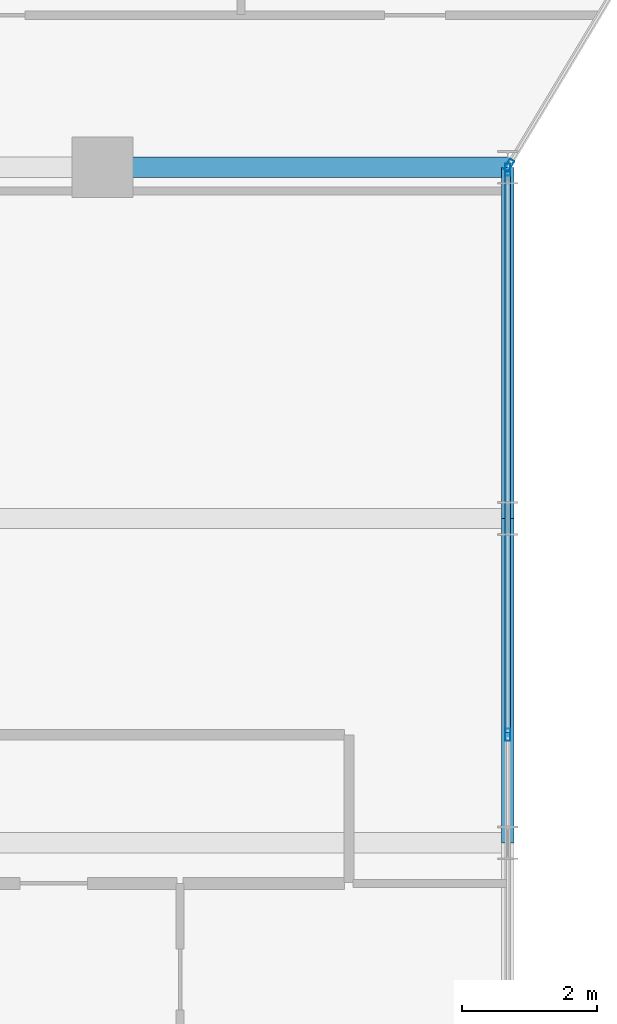
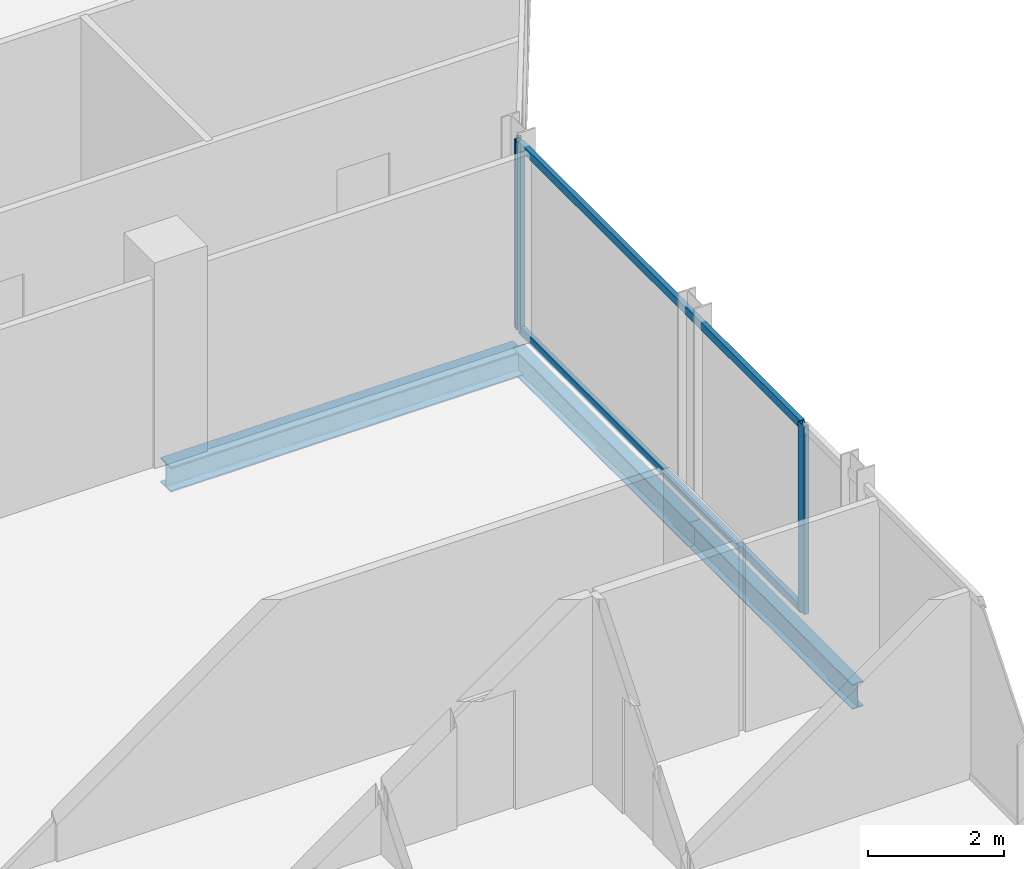
# One storey, part 13 of 32: 5 members, 3 beams, 2 elements without a shape of their own.
"""IFC4 building model written with IfcOpenShell, lengths in metres."""

from ifc_helpers import new_model, si_unit, direction, frame, origin, origin_2d, place, context, subcontext, project, spatial, hollow_rectangle, i_section, extrude, material, layer, layer_set, material_profile, profile_set, type_object, element, aggregate, save


model = new_model("IFC4")

# Units and contexts
model_context = context("Model", 3, precision=1e-05, world=origin(), true_north=direction((0.0, 1.0)))
body_context = subcontext(model_context, "Body", "Model", "MODEL_VIEW")
ifc_project = project(units=[si_unit("LENGTHUNIT", "METRE"), si_unit("AREAUNIT", "SQUARE_METRE"), si_unit("VOLUMEUNIT", "CUBIC_METRE"), si_unit("PLANEANGLEUNIT", "RADIAN"), si_unit("MASSUNIT", "GRAM", prefix="KILO")], contexts=[model_context])

# Site, building, storey
site_placement = place(None, origin())
site = spatial("IfcSite", under=ifc_project, at=site_placement, CompositionType="ELEMENT")
building_placement = place(site_placement, origin())
building = spatial("IfcBuilding", under=site, at=building_placement, Name="Keshet Zoharim Tower", CompositionType="ELEMENT")
storey_placement = place(building_placement, frame((0.0, 0.0, 152.0)))
storey = spatial("IfcBuildingStorey", under=building, at=storey_placement, Name="L37", CompositionType="ELEMENT", Elevation=152.0)

# Beams
ifc_material_1 = material(Name="Steel S355", Category="steel")
ifc_material_profile_1 = material_profile(ifc_material_1, i_section(OverallWidth=0.18994140625, OverallDepth=0.449951171875, WebThickness=0.009521484375, FlangeThickness=0.0146484375, FilletRadius=0.02099609375, at=origin_2d()), Name="IPE450")
ifc_profile_set_1 = profile_set([ifc_material_profile_1], Name="Steel S355")
beam_type_1 = type_object("IfcBeamType", Name="BM-PRI-IP450", PredefinedType="BEAM", material=ifc_profile_set_1)
beam_1_placement = place(storey_placement, frame((57.0, 17.89990234375, -0.5400390625), z_axis=(0.0, 1.0, 0.0), x_axis=(-1.0, 0.0, 0.0)))
element("IfcBeam", 1, at=beam_1_placement, inside=storey, type_object=beam_type_1, Name="L37 Primary Girder Y-015", PredefinedType="BEAM", context=body_context, shape_type="SweptSolid", body=[
    extrude(i_section(OverallWidth=0.18994140625, OverallDepth=0.449951171875, WebThickness=0.009521484375, FlangeThickness=0.0146484375, FilletRadius=0.02099609375, at=origin_2d()), origin(), (0.0, 0.0, 1.0), 4.800048828125),
])
beam_2_placement = place(storey_placement, frame((57.0, 22.699951171875, -0.5400390625), z_axis=(0.0, 1.0, 0.0), x_axis=(-1.0, 0.0, 0.0)))
element("IfcBeam", 2, at=beam_2_placement, inside=storey, type_object=beam_type_1, Name="L37 Primary Girder Y-016", PredefinedType="BEAM", context=body_context, shape_type="SweptSolid", body=[
    extrude(i_section(OverallWidth=0.18994140625, OverallDepth=0.449951171875, WebThickness=0.009521484375, FlangeThickness=0.0146484375, FilletRadius=0.02099609375, at=origin_2d()), origin(), (0.0, 0.0, 1.0), 5.199951171875),
])
ifc_material_profile_2 = material_profile(ifc_material_1, i_section(OverallWidth=0.300048828125, OverallDepth=0.449951171875, WebThickness=0.013916015625, FlangeThickness=0.02587890625, FilletRadius=0.027099609375, at=origin_2d()), Name="HEB450")
ifc_profile_set_2 = profile_set([ifc_material_profile_2], Name="Steel S355")
beam_type_2 = type_object("IfcBeamType", Name="BM-WEB-HB450", PredefinedType="BEAM", material=ifc_profile_set_2)
beam_3_placement = place(storey_placement, frame((51.0, 27.89990234375, -0.5400390625), z_axis=(1.0, 0.0, 0.0), x_axis=(0.0, 1.0, 0.0)))
element("IfcBeam", 3, at=beam_3_placement, inside=storey, type_object=beam_type_2, Name="L37 Primary Girder X-017", PredefinedType="BEAM", context=body_context, shape_type="SweptSolid", body=[
    extrude(i_section(OverallWidth=0.300048828125, OverallDepth=0.449951171875, WebThickness=0.013916015625, FlangeThickness=0.02587890625, FilletRadius=0.027099609375, at=origin_2d()), origin(), (0.0, 0.0, 1.0), 6.0),
])

# Curtain wall, member
ifc_material_2 = material(Name="Aluminium 6063-T6", Category="aluminium")
ifc_layer = layer(ifc_material_2, 0.159912109375)
ifc_layer_set = layer_set([ifc_layer], Name="Aluminium 6063-T6")
curtain_wall_type = type_object("IfcCurtainWallType", Name="CW-SYS-03", PredefinedType="NOTDEFINED", material=ifc_layer_set)
curtain_wall_1_placement = place(storey_placement, origin())
curtain_wall_1 = element("IfcCurtainWall", 4, at=curtain_wall_1_placement, inside=storey, type_object=curtain_wall_type, Name="L37 Unitised Curtain Wall 18", PredefinedType="NOTDEFINED")
ifc_material_profile_3 = material_profile(ifc_material_2, hollow_rectangle(XDim=0.080078125, YDim=0.179931640625, WallThickness=0.00439453125, at=origin_2d()), Name="MUL-80x180")
ifc_profile_set_3 = profile_set([ifc_material_profile_3], Name="Aluminium 6063-T6")
member_type_1 = type_object("IfcMemberType", Name="CWM-M18", PredefinedType="MULLION", material=ifc_profile_set_3)
member_1_placement = place(storey_placement, frame((57.01806640625, 27.929931640625, 0.0), z_axis=(0.0, 0.0, 1.0), x_axis=(0.857501477862, -0.514481501576, 0.0)))
member_1 = element("IfcMember", 5, at=member_1_placement, type_object=member_type_1, Name="CW-03 mullion 2", PredefinedType="MULLION", context=body_context, shape_type="SweptSolid", body=[
    extrude(hollow_rectangle(XDim=0.080078125, YDim=0.179931640625, WallThickness=0.00439453125, at=origin_2d()), origin(), (0.0, 0.0, 1.0), 3.385009765625),
])
aggregate(curtain_wall_1, [member_1])

# Curtain wall, members
curtain_wall_2_placement = place(storey_placement, origin())
curtain_wall_2 = element("IfcCurtainWall", 6, at=curtain_wall_2_placement, inside=storey, type_object=curtain_wall_type, Name="L37 Unitised Curtain Wall 19", PredefinedType="NOTDEFINED")
member_2_placement = place(storey_placement, frame((57.0, 27.864990234375, 0.0), z_axis=(0.0, 0.0, 1.0), x_axis=(1.0, 0.0, 0.0)))
member_2 = element("IfcMember", 7, at=member_2_placement, type_object=member_type_1, Name="CW-03 mullion 1", PredefinedType="MULLION", context=body_context, shape_type="SweptSolid", body=[
    extrude(hollow_rectangle(XDim=0.080078125, YDim=0.179931640625, WallThickness=0.00439453125, at=origin_2d()), origin(), (0.0, 0.0, 1.0), 3.385009765625),
])
member_3_placement = place(storey_placement, frame((57.0, 19.5, 0.0), z_axis=(0.0, 0.0, 1.0), x_axis=(1.0, 0.0, 0.0)))
member_3 = element("IfcMember", 8, at=member_3_placement, type_object=member_type_1, Name="CW-03 mullion 2", PredefinedType="MULLION", context=body_context, shape_type="SweptSolid", body=[
    extrude(hollow_rectangle(XDim=0.080078125, YDim=0.179931640625, WallThickness=0.00439453125, at=origin_2d()), origin(), (0.0, 0.0, 1.0), 3.385009765625),
])
ifc_material_profile_4 = material_profile(ifc_material_2, hollow_rectangle(XDim=0.080078125, YDim=0.139892578125, WallThickness=0.00390625, at=origin_2d()), Name="TRN-80x140")
ifc_profile_set_4 = profile_set([ifc_material_profile_4], Name="Aluminium 6063-T6")
member_type_2 = type_object("IfcMemberType", Name="CWT-T14", PredefinedType="USERDEFINED", material=ifc_profile_set_4)
member_4_placement = place(storey_placement, frame((57.0, 27.830078125, 0.034912109375), z_axis=(0.0, -1.0, 0.0), x_axis=(1.0, 0.0, 0.0)))
member_4 = element("IfcMember", 9, at=member_4_placement, type_object=member_type_2, Name="CW-03 transom 1.1", ObjectType="TRANSOM", PredefinedType="USERDEFINED", context=body_context, shape_type="SweptSolid", body=[
    extrude(hollow_rectangle(XDim=0.080078125, YDim=0.139892578125, WallThickness=0.00390625, at=origin_2d()), origin(), (0.0, 0.0, 1.0), 8.295166015625),
])
member_5_placement = place(storey_placement, frame((57.0, 27.830078125, 3.35009765625), z_axis=(0.0, -1.0, 0.0), x_axis=(1.0, 0.0, 0.0)))
member_5 = element("IfcMember", 10, at=member_5_placement, type_object=member_type_2, Name="CW-03 transom 1.2", ObjectType="TRANSOM", PredefinedType="USERDEFINED", context=body_context, shape_type="SweptSolid", body=[
    extrude(hollow_rectangle(XDim=0.080078125, YDim=0.139892578125, WallThickness=0.00390625, at=origin_2d()), origin(), (0.0, 0.0, 1.0), 8.295166015625),
])
aggregate(curtain_wall_2, [member_2, member_3, member_4, member_5])

save(model, "model.ifc")
